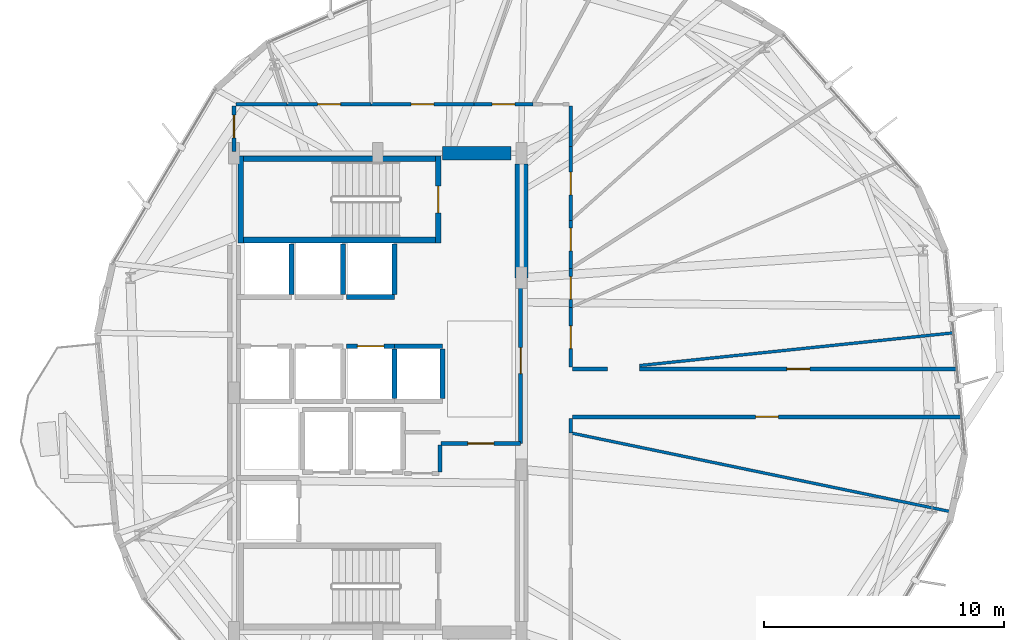
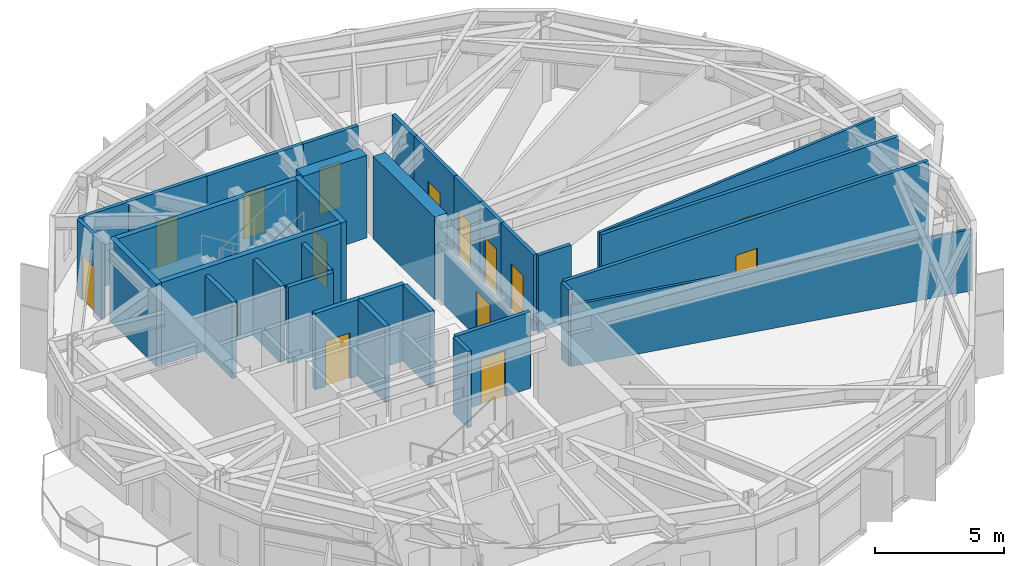
# One storey, part 19 of 23: 33 walls, 14 doors, 14 openings.
"""IFC4 building model written with IfcOpenShell, lengths in metres."""

from ifc_helpers import new_model, si_unit, direction, frame, frame_2d, origin, place, context, subcontext, project, spatial, rectangle, extrude, material, layer, layer_set, type_object, element, fill, save


model = new_model("IFC4")

# Units and contexts
model_context = context("Model", 3, precision=1e-05, world=origin(), true_north=direction((0.0, 1.0)))
body_context = subcontext(model_context, "Body", "Model", "MODEL_VIEW")
ifc_project = project(units=[si_unit("LENGTHUNIT", "METRE"), si_unit("AREAUNIT", "SQUARE_METRE"), si_unit("VOLUMEUNIT", "CUBIC_METRE"), si_unit("PLANEANGLEUNIT", "RADIAN"), si_unit("MASSUNIT", "GRAM", prefix="KILO")], contexts=[model_context])

# Site, building, storey
site_placement = place(None, origin())
site = spatial("IfcSite", under=ifc_project, at=site_placement, CompositionType="ELEMENT")
building_placement = place(site_placement, origin())
building = spatial("IfcBuilding", under=site, at=building_placement, Name="Soratama Intermodal Tower", CompositionType="ELEMENT")
storey_placement = place(building_placement, frame((0.0, 0.0, 118.60009765625)))
storey = spatial("IfcBuildingStorey", under=building, at=storey_placement, Name="L28", CompositionType="ELEMENT", Elevation=118.60009765625)

# Wall, opening, door
ifc_material_1 = material(Name="Fire-rated gypsum stud partition", Category="concrete")
ifc_layer_1 = layer(ifc_material_1, 0.159912109375)
ifc_layer_set_1 = layer_set([ifc_layer_1], Name="Fire-rated gypsum stud partition")
wall_type_1 = type_object("IfcWallType", Name="IW-PART-R160", PredefinedType="PARTITIONING", material=ifc_layer_set_1)
wall_1_placement = place(storey_placement, frame((62.966064453125, 24.0, 0.0), z_axis=(0.0, 0.0, 1.0), x_axis=(-1.0, 0.0, 0.0)))
wall_1 = element("IfcWall", 1, at=wall_1_placement, inside=storey, type_object=wall_type_1, Name="L28 Partition W-L28-TP002", PredefinedType="PARTITIONING", context=body_context, shape_type="SweptSolid", body=[
    extrude(rectangle(XDim=16.24609375, YDim=0.159912109375, at=frame_2d((8.123046875, 0.0))), origin(), (0.0, 0.0, 1.0), 3.599853515625),
])
opening_1_placement = place(wall_1_placement, frame((7.64794921875, 0.0, 0.0)))
opening_1 = element("IfcOpeningElement", 2, at=opening_1_placement, cuts=wall_1, Name="Opening ID-3", PredefinedType="OPENING", context=body_context, shape_type="SweptSolid", body=[
    extrude(rectangle(XDim=0.949951171875, YDim=2.14990234375, at=frame_2d((0.47509765625, 1.074951171875))), frame((0.0, 0.08984375, 0.0), z_axis=(0.0, -1.0, 0.0), x_axis=(1.0, 0.0, 0.0)), (0.0, 0.0, 1.0), 0.179931640625),
])
ifc_material_2 = material(Name="Solid hardwood acoustic door", Category="wood")
door_type_1 = type_object("IfcDoorType", Name="DR-ROOM-950", OperationType="NOTDEFINED", PredefinedType="DOOR", material=ifc_material_2)
door_1_placement = place(opening_1_placement, origin())
door_1 = element("IfcDoor", 3, at=door_1_placement, inside=storey, type_object=door_type_1, Name="L28 Door D-L28-TP001", OperationType="SINGLE_SWING_RIGHT", OverallHeight=2.14990234375, OverallWidth=0.949951171875, PredefinedType="DOOR", context=body_context, shape_type="SweptSolid", body=[
    extrude(rectangle(XDim=0.949951171875, YDim=2.14990234375, at=frame_2d((0.47509765625, 1.074951171875))), frame((0.0, 0.02490234375, 0.0), z_axis=(0.0, -1.0, 0.0), x_axis=(1.0, 0.0, 0.0)), (0.0, 0.0, 1.0), 0.050048828125),
])
fill(opening_1, door_1)

wall_2_placement = place(storey_placement, frame((49.531982421875, 26.0, 0.0), z_axis=(0.0, 0.0, 1.0), x_axis=(1.0, 0.0, 0.0)))
wall_2 = element("IfcWall", 4, at=wall_2_placement, inside=storey, type_object=wall_type_1, Name="L28 Partition W-L28-TP005", PredefinedType="PARTITIONING", context=body_context, shape_type="SweptSolid", body=[
    extrude(rectangle(XDim=13.242919921875, YDim=0.159912109375, at=frame_2d((6.62158203125, 0.0))), origin(), (0.0, 0.0, 1.0), 3.599853515625),
])
opening_2_placement = place(wall_2_placement, frame((6.14697265625, 0.0, 0.0)))
opening_2 = element("IfcOpeningElement", 5, at=opening_2_placement, cuts=wall_2, Name="Opening ID-3", PredefinedType="OPENING", context=body_context, shape_type="SweptSolid", body=[
    extrude(rectangle(XDim=0.949951171875, YDim=2.14990234375, at=frame_2d((0.47509765625, 1.074951171875))), frame((0.0, 0.08984375, 0.0), z_axis=(0.0, -1.0, 0.0), x_axis=(1.0, 0.0, 0.0)), (0.0, 0.0, 1.0), 0.179931640625),
])
door_2_placement = place(opening_2_placement, origin())
door_2 = element("IfcDoor", 6, at=door_2_placement, inside=storey, type_object=door_type_1, Name="L28 Door D-L28-TP002", OperationType="SINGLE_SWING_LEFT", OverallHeight=2.14990234375, OverallWidth=0.949951171875, PredefinedType="DOOR", context=body_context, shape_type="SweptSolid", body=[
    extrude(rectangle(XDim=0.949951171875, YDim=2.14990234375, at=frame_2d((0.47509765625, 1.074951171875))), frame((0.0, 0.02490234375, 0.0), z_axis=(0.0, -1.0, 0.0), x_axis=(1.0, 0.0, 0.0)), (0.0, 0.0, 1.0), 0.050048828125),
])
fill(opening_2, door_2)

wall_3_placement = place(storey_placement, frame((44.56005859375, 29.800048828125, 0.0), z_axis=(0.0, 0.0, 1.0), x_axis=(0.0, -1.0, 0.0)))
wall_3 = element("IfcWall", 7, at=wall_3_placement, inside=storey, type_object=wall_type_1, Name="L28 Partition W-L28-TP011", PredefinedType="PARTITIONING", context=body_context, shape_type="SweptSolid", body=[
    extrude(rectangle(XDim=6.91015625, YDim=0.159912109375, at=frame_2d((3.455078125, 0.0))), origin(), (0.0, 0.0, 1.0), 2.639892578125),
])
opening_3_placement = place(wall_3_placement, frame((2.9150390625, 0.0, 0.0)))
opening_3 = element("IfcOpeningElement", 8, at=opening_3_placement, cuts=wall_3, Name="Opening ID-1", PredefinedType="OPENING", context=body_context, shape_type="SweptSolid", body=[
    extrude(rectangle(XDim=1.080078125, YDim=2.14990234375, at=frame_2d((0.5400390625, 1.074951171875))), frame((0.0, 0.08984375, 0.0), z_axis=(0.0, -1.0, 0.0), x_axis=(1.0, 0.0, 0.0)), (0.0, 0.0, 1.0), 0.179931640625),
])
ifc_material_3 = material(Name="Solid hardwood acoustic door", Category="wood")
door_type_2 = type_object("IfcDoorType", Name="DR-LOB-FD60", OperationType="NOTDEFINED", PredefinedType="DOOR", material=ifc_material_3)
door_3_placement = place(opening_3_placement, origin())
door_3 = element("IfcDoor", 9, at=door_3_placement, inside=storey, type_object=door_type_2, Name="L28 Door D-L28-TP005", OperationType="SINGLE_SWING_RIGHT", OverallHeight=2.14990234375, OverallWidth=1.080078125, PredefinedType="DOOR", context=body_context, shape_type="SweptSolid", body=[
    extrude(rectangle(XDim=1.080078125, YDim=2.14990234375, at=frame_2d((0.5400390625, 1.074951171875))), frame((0.0, 0.02490234375, 0.0), z_axis=(0.0, -1.0, 0.0), x_axis=(1.0, 0.0, 0.0)), (0.0, 0.0, 1.0), 0.050048828125),
])
fill(opening_3, door_3)

wall_4_placement = place(storey_placement, frame((38.323974609375, 37.050048828125, 0.0), z_axis=(0.0, 0.0, 1.0), x_axis=(1.0, 0.0, 0.0)))
wall_4 = element("IfcWall", 10, at=wall_4_placement, inside=storey, type_object=wall_type_1, Name="L28 Partition W-L28-TP017", PredefinedType="PARTITIONING", context=body_context, shape_type="SweptSolid", body=[
    extrude(rectangle(XDim=4.2900390625, YDim=0.159912109375, at=frame_2d((2.14501953125, 0.0))), origin(), (0.0, 0.0, 1.0), 3.599853515625),
])
opening_4_placement = place(wall_4_placement, frame((1.669921875, 0.0, 0.0)))
opening_4 = element("IfcOpeningElement", 11, at=opening_4_placement, cuts=wall_4, Name="Opening ID-3", PredefinedType="OPENING", context=body_context, shape_type="SweptSolid", body=[
    extrude(rectangle(XDim=0.949951171875, YDim=2.14990234375, at=frame_2d((0.47509765625, 1.074951171875))), frame((0.0, 0.08984375, 0.0), z_axis=(0.0, -1.0, 0.0), x_axis=(1.0, 0.0, 0.0)), (0.0, 0.0, 1.0), 0.179931640625),
])
door_4_placement = place(opening_4_placement, origin())
door_4 = element("IfcDoor", 12, at=door_4_placement, inside=storey, type_object=door_type_1, Name="L28 Door D-L28-TP006", OperationType="SINGLE_SWING_LEFT", OverallHeight=2.14990234375, OverallWidth=0.949951171875, PredefinedType="DOOR", context=body_context, shape_type="SweptSolid", body=[
    extrude(rectangle(XDim=0.949951171875, YDim=2.14990234375, at=frame_2d((0.47509765625, 1.074951171875))), frame((0.0, 0.02490234375, 0.0), z_axis=(0.0, -1.0, 0.0), x_axis=(1.0, 0.0, 0.0)), (0.0, 0.0, 1.0), 0.050048828125),
])
fill(opening_4, door_4)

wall_5_placement = place(storey_placement, frame((34.81005859375, 37.050048828125, 0.0), z_axis=(0.0, 0.0, 1.0), x_axis=(1.0, 0.0, 0.0)))
wall_5 = element("IfcWall", 13, at=wall_5_placement, inside=storey, type_object=wall_type_1, Name="L28 Partition W-L28-TP019", PredefinedType="PARTITIONING", context=body_context, shape_type="SweptSolid", body=[
    extrude(rectangle(XDim=3.513916015625, YDim=0.159912109375, at=frame_2d((1.7568359375, 0.0))), origin(), (0.0, 0.0, 1.0), 3.599853515625),
])
opening_5_placement = place(wall_5_placement, frame((1.281982421875, 0.0, 0.0)))
opening_5 = element("IfcOpeningElement", 14, at=opening_5_placement, cuts=wall_5, Name="Opening ID-3", PredefinedType="OPENING", context=body_context, shape_type="SweptSolid", body=[
    extrude(rectangle(XDim=0.949951171875, YDim=2.14990234375, at=frame_2d((0.47509765625, 1.074951171875))), frame((0.0, 0.08984375, 0.0), z_axis=(0.0, -1.0, 0.0), x_axis=(1.0, 0.0, 0.0)), (0.0, 0.0, 1.0), 0.179931640625),
])
door_5_placement = place(opening_5_placement, origin())
door_5 = element("IfcDoor", 15, at=door_5_placement, inside=storey, type_object=door_type_1, Name="L28 Door D-L28-TP008", OperationType="SINGLE_SWING_LEFT", OverallHeight=2.14990234375, OverallWidth=0.949951171875, PredefinedType="DOOR", context=body_context, shape_type="SweptSolid", body=[
    extrude(rectangle(XDim=0.949951171875, YDim=2.14990234375, at=frame_2d((0.47509765625, 1.074951171875))), frame((0.0, 0.02490234375, 0.0), z_axis=(0.0, -1.0, 0.0), x_axis=(1.0, 0.0, 0.0)), (0.0, 0.0, 1.0), 0.050048828125),
])
fill(opening_5, door_5)

wall_6_placement = place(storey_placement, frame((46.64990234375, 35.277099609375, 0.0), z_axis=(0.0, 0.0, 1.0), x_axis=(0.0, -1.0, 0.0)))
wall_6 = element("IfcWall", 16, at=wall_6_placement, inside=storey, type_object=wall_type_1, Name="L28 Partition W-L28-TP023", PredefinedType="PARTITIONING", context=body_context, shape_type="SweptSolid", body=[
    extrude(rectangle(XDim=3.078125, YDim=0.159912109375, at=frame_2d((1.5390625, 0.0))), origin(), (0.0, 0.0, 1.0), 3.599853515625),
])
opening_6_placement = place(wall_6_placement, frame((1.06396484375, 0.0, 0.0)))
opening_6 = element("IfcOpeningElement", 17, at=opening_6_placement, cuts=wall_6, Name="Opening ID-3", PredefinedType="OPENING", context=body_context, shape_type="SweptSolid", body=[
    extrude(rectangle(XDim=0.949951171875, YDim=2.14990234375, at=frame_2d((0.47509765625, 1.074951171875))), frame((0.0, 0.08984375, 0.0), z_axis=(0.0, -1.0, 0.0), x_axis=(1.0, 0.0, 0.0)), (0.0, 0.0, 1.0), 0.179931640625),
])
door_6_placement = place(opening_6_placement, origin())
door_6 = element("IfcDoor", 18, at=door_6_placement, inside=storey, type_object=door_type_1, Name="L28 Door D-L28-TP010", OperationType="SINGLE_SWING_LEFT", OverallHeight=2.14990234375, OverallWidth=0.949951171875, PredefinedType="DOOR", context=body_context, shape_type="SweptSolid", body=[
    extrude(rectangle(XDim=0.949951171875, YDim=2.14990234375, at=frame_2d((0.47509765625, 1.074951171875))), frame((0.0, 0.02490234375, 0.0), z_axis=(0.0, -1.0, 0.0), x_axis=(1.0, 0.0, 0.0)), (0.0, 0.0, 1.0), 0.050048828125),
])
fill(opening_6, door_6)

wall_7_placement = place(storey_placement, frame((46.64990234375, 28.56591796875, 0.0), z_axis=(0.0, 0.0, 1.0), x_axis=(0.0, -1.0, 0.0)))
wall_7 = element("IfcWall", 19, at=wall_7_placement, inside=storey, type_object=wall_type_1, Name="L28 Partition W-L28-TP026", PredefinedType="PARTITIONING", context=body_context, shape_type="SweptSolid", body=[
    extrude(rectangle(XDim=2.495849609375, YDim=0.159912109375, at=frame_2d((1.248046875, 0.0))), origin(), (0.0, 0.0, 1.0), 3.599853515625),
])
opening_7_placement = place(wall_7_placement, frame((0.77294921875, 0.0, 0.0)))
opening_7 = element("IfcOpeningElement", 20, at=opening_7_placement, cuts=wall_7, Name="Opening ID-3", PredefinedType="OPENING", context=body_context, shape_type="SweptSolid", body=[
    extrude(rectangle(XDim=0.949951171875, YDim=2.14990234375, at=frame_2d((0.47509765625, 1.074951171875))), frame((0.0, 0.08984375, 0.0), z_axis=(0.0, -1.0, 0.0), x_axis=(1.0, 0.0, 0.0)), (0.0, 0.0, 1.0), 0.179931640625),
])
door_7_placement = place(opening_7_placement, origin())
door_7 = element("IfcDoor", 21, at=door_7_placement, inside=storey, type_object=door_type_1, Name="L28 Door D-L28-TP011", OperationType="SINGLE_SWING_RIGHT", OverallHeight=2.14990234375, OverallWidth=0.949951171875, PredefinedType="DOOR", context=body_context, shape_type="SweptSolid", body=[
    extrude(rectangle(XDim=0.949951171875, YDim=2.14990234375, at=frame_2d((0.47509765625, 1.074951171875))), frame((0.0, 0.02490234375, 0.0), z_axis=(0.0, -1.0, 0.0), x_axis=(1.0, 0.0, 0.0)), (0.0, 0.0, 1.0), 0.050048828125),
])
fill(opening_7, door_7)

wall_8_placement = place(storey_placement, frame((42.614013671875, 37.050048828125, 0.0), z_axis=(0.0, 0.0, 1.0), x_axis=(1.0, 0.0, 0.0)))
wall_8 = element("IfcWall", 22, at=wall_8_placement, inside=storey, type_object=wall_type_1, Name="L28 Partition W-L28-TP027", PredefinedType="PARTITIONING", context=body_context, shape_type="SweptSolid", body=[
    extrude(rectangle(XDim=2.4599609375, YDim=0.159912109375, at=frame_2d((1.22998046875, 0.0))), origin(), (0.0, 0.0, 1.0), 3.599853515625),
])
opening_8_placement = place(wall_8_placement, frame((0.7548828125, 0.0, 0.0)))
opening_8 = element("IfcOpeningElement", 23, at=opening_8_placement, cuts=wall_8, Name="Opening ID-3", PredefinedType="OPENING", context=body_context, shape_type="SweptSolid", body=[
    extrude(rectangle(XDim=0.949951171875, YDim=2.14990234375, at=frame_2d((0.47509765625, 1.074951171875))), frame((0.0, 0.08984375, 0.0), z_axis=(0.0, -1.0, 0.0), x_axis=(1.0, 0.0, 0.0)), (0.0, 0.0, 1.0), 0.179931640625),
])
door_8_placement = place(opening_8_placement, origin())
door_8 = element("IfcDoor", 24, at=door_8_placement, inside=storey, type_object=door_type_1, Name="L28 Door D-L28-TP012", OperationType="SINGLE_SWING_LEFT", OverallHeight=2.14990234375, OverallWidth=0.949951171875, PredefinedType="DOOR", context=body_context, shape_type="SweptSolid", body=[
    extrude(rectangle(XDim=0.949951171875, YDim=2.14990234375, at=frame_2d((0.47509765625, 1.074951171875))), frame((0.0, 0.02490234375, 0.0), z_axis=(0.0, -1.0, 0.0), x_axis=(1.0, 0.0, 0.0)), (0.0, 0.0, 1.0), 0.050048828125),
])
fill(opening_8, door_8)

# Wall
wall_9_placement = place(storey_placement, frame((32.669921875, 37.050048828125, 0.0), z_axis=(0.0, 0.0, 1.0), x_axis=(1.0, 0.0, 0.0)))
element("IfcWall", 25, at=wall_9_placement, inside=storey, type_object=wall_type_1, Name="L28 Partition W-L28-TP028", PredefinedType="PARTITIONING", context=body_context, shape_type="SweptSolid", body=[
    extrude(rectangle(XDim=2.14013671875, YDim=0.159912109375, at=frame_2d((1.070068359375, 0.0))), origin(), (0.0, 0.0, 1.0), 3.599853515625),
])

# Wall, opening, door
wall_10_placement = place(storey_placement, frame((46.64990234375, 32.198974609375, 0.0), z_axis=(0.0, 0.0, 1.0), x_axis=(0.0, -1.0, 0.0)))
wall_10 = element("IfcWall", 26, at=wall_10_placement, inside=storey, type_object=wall_type_1, Name="L28 Partition W-L28-TP029", PredefinedType="PARTITIONING", context=body_context, shape_type="SweptSolid", body=[
    extrude(rectangle(XDim=2.001953125, YDim=0.159912109375, at=frame_2d((1.0009765625, 0.0))), origin(), (0.0, 0.0, 1.0), 3.599853515625),
])
opening_9_placement = place(wall_10_placement, frame((0.325927734375, 0.0, 0.0)))
opening_9 = element("IfcOpeningElement", 27, at=opening_9_placement, cuts=wall_10, Name="Opening ID-3", PredefinedType="OPENING", context=body_context, shape_type="SweptSolid", body=[
    extrude(rectangle(XDim=0.949951171875, YDim=2.14990234375, at=frame_2d((0.47509765625, 1.074951171875))), frame((0.0, 0.08984375, 0.0), z_axis=(0.0, -1.0, 0.0), x_axis=(1.0, 0.0, 0.0)), (0.0, 0.0, 1.0), 0.179931640625),
])
door_9_placement = place(opening_9_placement, origin())
door_9 = element("IfcDoor", 28, at=door_9_placement, inside=storey, type_object=door_type_1, Name="L28 Door D-L28-TP013", OperationType="SINGLE_SWING_RIGHT", OverallHeight=2.14990234375, OverallWidth=0.949951171875, PredefinedType="DOOR", context=body_context, shape_type="SweptSolid", body=[
    extrude(rectangle(XDim=0.949951171875, YDim=2.14990234375, at=frame_2d((0.47509765625, 1.074951171875))), frame((0.0, 0.02490234375, 0.0), z_axis=(0.0, -1.0, 0.0), x_axis=(1.0, 0.0, 0.0)), (0.0, 0.0, 1.0), 0.050048828125),
])
fill(opening_9, door_9)

wall_11_placement = place(storey_placement, frame((32.60009765625, 35.070068359375, 0.0), z_axis=(0.0, 0.0, 1.0), x_axis=(0.0, 1.0, 0.0)))
wall_11 = element("IfcWall", 29, at=wall_11_placement, inside=storey, type_object=wall_type_1, Name="L28 Partition W-L28-TP030", PredefinedType="PARTITIONING", context=body_context, shape_type="SweptSolid", body=[
    extrude(rectangle(XDim=1.909912109375, YDim=0.159912109375, at=frame_2d((0.955078125, 0.0))), origin(), (0.0, 0.0, 1.0), 3.599853515625),
])
opening_10_placement = place(wall_11_placement, frame((0.574951171875, 0.0, 0.0)))
opening_10 = element("IfcOpeningElement", 30, at=opening_10_placement, cuts=wall_11, Name="Opening ID-3", PredefinedType="OPENING", context=body_context, shape_type="SweptSolid", body=[
    extrude(rectangle(XDim=0.949951171875, YDim=2.14990234375, at=frame_2d((0.47509765625, 1.074951171875))), frame((0.0, 0.08984375, 0.0), z_axis=(0.0, -1.0, 0.0), x_axis=(1.0, 0.0, 0.0)), (0.0, 0.0, 1.0), 0.179931640625),
])
door_10_placement = place(opening_10_placement, origin())
door_10 = element("IfcDoor", 31, at=door_10_placement, inside=storey, type_object=door_type_1, Name="L28 Door D-L28-TP014", OperationType="SINGLE_SWING_LEFT", OverallHeight=2.14990234375, OverallWidth=0.949951171875, PredefinedType="DOOR", context=body_context, shape_type="SweptSolid", body=[
    extrude(rectangle(XDim=0.949951171875, YDim=2.14990234375, at=frame_2d((0.47509765625, 1.074951171875))), frame((0.0, 0.02490234375, 0.0), z_axis=(0.0, -1.0, 0.0), x_axis=(1.0, 0.0, 0.0)), (0.0, 0.0, 1.0), 0.050048828125),
])
fill(opening_10, door_10)

# Wall
wall_12_placement = place(storey_placement, frame((46.64990234375, 36.97998046875, 0.0), z_axis=(0.0, 0.0, 1.0), x_axis=(0.0, -1.0, 0.0)))
element("IfcWall", 32, at=wall_12_placement, inside=storey, type_object=wall_type_1, Name="L28 Partition W-L28-TP031", PredefinedType="PARTITIONING", context=body_context, shape_type="SweptSolid", body=[
    extrude(rectangle(XDim=1.702880859375, YDim=0.159912109375, at=frame_2d((0.8515625, 0.0))), origin(), (0.0, 0.0, 1.0), 3.599853515625),
])

# Wall, opening, door
wall_13_placement = place(storey_placement, frame((46.64990234375, 30.197021484375, 0.0), z_axis=(0.0, 0.0, 1.0), x_axis=(0.0, -1.0, 0.0)))
wall_13 = element("IfcWall", 33, at=wall_13_placement, inside=storey, type_object=wall_type_1, Name="L28 Partition W-L28-TP032", PredefinedType="PARTITIONING", context=body_context, shape_type="SweptSolid", body=[
    extrude(rectangle(XDim=1.631103515625, YDim=0.159912109375, at=frame_2d((0.8154296875, 0.0))), origin(), (0.0, 0.0, 1.0), 3.599853515625),
])
opening_11_placement = place(wall_13_placement, frame((0.341064453125, 0.0, 0.0)))
opening_11 = element("IfcOpeningElement", 34, at=opening_11_placement, cuts=wall_13, Name="Opening ID-3", PredefinedType="OPENING", context=body_context, shape_type="SweptSolid", body=[
    extrude(rectangle(XDim=0.949951171875, YDim=2.14990234375, at=frame_2d((0.47509765625, 1.074951171875))), frame((0.0, 0.08984375, 0.0), z_axis=(0.0, -1.0, 0.0), x_axis=(1.0, 0.0, 0.0)), (0.0, 0.0, 1.0), 0.179931640625),
])
door_11_placement = place(opening_11_placement, origin())
door_11 = element("IfcDoor", 35, at=door_11_placement, inside=storey, type_object=door_type_1, Name="L28 Door D-L28-TP015", OperationType="SINGLE_SWING_RIGHT", OverallHeight=2.14990234375, OverallWidth=0.949951171875, PredefinedType="DOOR", context=body_context, shape_type="SweptSolid", body=[
    extrude(rectangle(XDim=0.949951171875, YDim=2.14990234375, at=frame_2d((0.47509765625, 1.074951171875))), frame((0.0, 0.02490234375, 0.0), z_axis=(0.0, -1.0, 0.0), x_axis=(1.0, 0.0, 0.0)), (0.0, 0.0, 1.0), 0.050048828125),
])
fill(opening_11, door_11)

# Walls
wall_14_placement = place(storey_placement, frame((46.64990234375, 23.929931640625, 0.0), z_axis=(0.0, 0.0, 1.0), x_axis=(0.0, -1.0, 0.0)))
element("IfcWall", 36, at=wall_14_placement, inside=storey, type_object=wall_type_1, Name="L28 Partition W-L28-TP036", PredefinedType="PARTITIONING", context=body_context, shape_type="SweptSolid", body=[
    extrude(rectangle(XDim=0.599853515625, YDim=0.159912109375, at=frame_2d((0.2998046875, 0.0))), origin(), (0.0, 0.0, 1.0), 3.599853515625),
])
wall_15_placement = place(storey_placement, frame((46.719970703125, 26.0, 0.0), z_axis=(0.0, 0.0, 1.0), x_axis=(1.0, 0.0, 0.0)))
element("IfcWall", 37, at=wall_15_placement, inside=storey, type_object=wall_type_1, Name="L28 Partition W-L28-TP038", PredefinedType="PARTITIONING", context=body_context, shape_type="SweptSolid", body=[
    extrude(rectangle(XDim=1.463134765625, YDim=0.159912109375, at=frame_2d((0.7314453125, 0.0))), origin(), (0.0, 0.0, 1.0), 3.599853515625),
])

# Wall, opening, door
ifc_material_4 = material(Name="Fire-rated gypsum stud partition", Category="concrete")
ifc_layer_2 = layer(ifc_material_4, 0.169921875)
ifc_layer_set_2 = layer_set([ifc_layer_2], Name="Fire-rated gypsum stud partition")
wall_type_2 = type_object("IfcWallType", Name="IW-PART-R170", PredefinedType="PARTITIONING", material=ifc_layer_set_2)
wall_16_placement = place(storey_placement, frame((41.239990234375, 22.889892578125, 0.0), z_axis=(0.0, 0.0, 1.0), x_axis=(1.0, 0.0, 0.0)))
wall_16 = element("IfcWall", 38, at=wall_16_placement, inside=storey, type_object=wall_type_2, Name="L28 Partition W-L28-TP021", PredefinedType="PARTITIONING", context=body_context, shape_type="SweptSolid", body=[
    extrude(rectangle(XDim=3.320068359375, YDim=0.169921875, at=frame_2d((1.66015625, 0.0))), origin(), (0.0, 0.0, 1.0), 3.599853515625),
])
opening_12_placement = place(wall_16_placement, frame((1.1201171875, 0.0, 0.0)))
opening_12 = element("IfcOpeningElement", 39, at=opening_12_placement, cuts=wall_16, Name="Opening ID-0", PredefinedType="OPENING", context=body_context, shape_type="SweptSolid", body=[
    extrude(rectangle(XDim=1.080078125, YDim=2.14990234375, at=frame_2d((0.5400390625, 1.074951171875))), frame((0.0, 0.094970703125, 0.0), z_axis=(0.0, -1.0, 0.0), x_axis=(1.0, 0.0, 0.0)), (0.0, 0.0, 1.0), 0.18994140625),
])
ifc_material_5 = material(Name="Solid hardwood acoustic door", Category="wood")
door_type_3 = type_object("IfcDoorType", Name="DR-LOB-FD90", OperationType="NOTDEFINED", PredefinedType="DOOR", material=ifc_material_5)
door_12_placement = place(opening_12_placement, origin())
door_12 = element("IfcDoor", 40, at=door_12_placement, inside=storey, type_object=door_type_3, Name="L28 Door D-L28-TP009", OperationType="SINGLE_SWING_RIGHT", OverallHeight=2.14990234375, OverallWidth=1.080078125, PredefinedType="DOOR", context=body_context, shape_type="SweptSolid", body=[
    extrude(rectangle(XDim=1.080078125, YDim=2.14990234375, at=frame_2d((0.5400390625, 1.074951171875))), frame((0.0, 0.02490234375, 0.0), z_axis=(0.0, -1.0, 0.0), x_axis=(1.0, 0.0, 0.0)), (0.0, 0.0, 1.0), 0.050048828125),
])
fill(opening_12, door_12)

# Walls
wall_17_placement = place(storey_placement, frame((41.199951171875, 21.699951171875, 0.0), z_axis=(0.0, 0.0, 1.0), x_axis=(0.0, 1.0, 0.0)))
element("IfcWall", 41, at=wall_17_placement, inside=storey, type_object=wall_type_2, Name="L28 Partition W-L28-TP035", PredefinedType="PARTITIONING", context=body_context, shape_type="SweptSolid", body=[
    extrude(rectangle(XDim=1.1201171875, YDim=0.169921875, at=frame_2d((0.56005859375, 0.0))), origin(), (0.0, 0.0, 1.0), 3.599853515625),
])
ifc_material_6 = material(Name="Fire-rated gypsum stud partition", Category="concrete")
ifc_layer_3 = layer(ifc_material_6, 0.1201171875)
ifc_layer_set_3 = layer_set([ifc_layer_3], Name="Fire-rated gypsum stud partition")
wall_type_3 = type_object("IfcWallType", Name="IW-PART-S120", PredefinedType="PARTITIONING", material=ifc_layer_set_3)
wall_18_placement = place(storey_placement, frame((46.64990234375, 23.330078125, 0.0), z_axis=(0.0, 0.0, 1.0), x_axis=(0.979173966784, -0.20302301045, 0.0)))
element("IfcWall", 42, at=wall_18_placement, inside=storey, type_object=wall_type_3, Name="L28 Partition W-L28-TP001", PredefinedType="PARTITIONING", context=body_context, shape_type="SweptSolid", body=[
    extrude(rectangle(XDim=16.322998046875, YDim=0.1201171875, at=frame_2d((8.16162109375, 0.0))), origin(), (0.0, 0.0, 1.0), 2.89501953125),
])
wall_19_placement = place(storey_placement, frame((49.52490234375, 26.139892578125, 0.0), z_axis=(0.0, 0.0, 1.0), x_axis=(0.994603084533, 0.103753092662, 0.0)))
element("IfcWall", 43, at=wall_19_placement, inside=storey, type_object=wall_type_3, Name="L28 Partition W-L28-TP006", PredefinedType="PARTITIONING", context=body_context, shape_type="SweptSolid", body=[
    extrude(rectangle(XDim=13.17724609375, YDim=0.1201171875, at=frame_2d((6.588623046875, 0.0))), origin(), (0.0, 0.0, 1.0), 3.599853515625),
])

# Wall, opening, door
ifc_material_7 = material(Name="Concrete f'c 42 MPa", Category="concrete")
ifc_layer_4 = layer(ifc_material_7, 0.199951171875)
ifc_layer_set_4 = layer_set([ifc_layer_4], Name="Concrete f'c 42 MPa")
wall_type_4 = type_object("IfcWallType", Name="IW-SHAFT-200", PredefinedType="SOLIDWALL", material=ifc_layer_set_4)
wall_20_placement = place(storey_placement, frame((37.300048828125, 26.949951171875, 0.0), z_axis=(0.0, 0.0, 1.0), x_axis=(1.0, 0.0, 0.0)))
wall_20 = element("IfcWall", 44, at=wall_20_placement, inside=storey, type_object=wall_type_4, Name="L28 PL-L3 Hoistway Wall N", PredefinedType="SOLIDWALL", context=body_context, shape_type="SweptSolid", body=[
    extrude(rectangle(XDim=2.0, YDim=0.199951171875, at=frame_2d((1.0, 0.0))), origin(), (0.0, 0.0, 1.0), 3.599853515625),
])
opening_13_placement = place(wall_20_placement, frame((0.449951171875, 0.0, 0.0)))
opening_13 = element("IfcOpeningElement", 45, at=opening_13_placement, cuts=wall_20, Name="Opening LD-1", PredefinedType="OPENING", context=body_context, shape_type="SweptSolid", body=[
    extrude(rectangle(XDim=1.10009765625, YDim=2.14990234375, at=frame_2d((0.550048828125, 1.074951171875))), frame((0.0, 0.10986328125, 0.0), z_axis=(0.0, -1.0, 0.0), x_axis=(1.0, 0.0, 0.0)), (0.0, 0.0, 1.0), 0.219970703125),
])
ifc_material_8 = material(Name="Steel fire door", Category="steel")
door_type_4 = type_object("IfcDoorType", Name="DR-LIFT-SLIDE", OperationType="NOTDEFINED", PredefinedType="DOOR", material=ifc_material_8)
door_13_placement = place(opening_13_placement, origin())
door_13 = element("IfcDoor", 46, at=door_13_placement, inside=storey, type_object=door_type_4, Name="L28 PL-L3 Sliding Landing Door", OperationType="SLIDING_TO_LEFT", OverallHeight=2.14990234375, OverallWidth=1.10009765625, PredefinedType="DOOR", context=body_context, shape_type="SweptSolid", body=[
    extrude(rectangle(XDim=1.10009765625, YDim=2.14990234375, at=frame_2d((0.550048828125, 1.074951171875))), frame((0.0, 0.02490234375, 0.0), z_axis=(0.0, -1.0, 0.0), x_axis=(1.0, 0.0, 0.0)), (0.0, 0.0, 1.0), 0.050048828125),
])
fill(opening_13, door_13)

# Walls
wall_21_placement = place(storey_placement, frame((39.300048828125, 24.760009765625, 0.0), z_axis=(0.0, 0.0, 1.0), x_axis=(0.0, 1.0, 0.0)))
element("IfcWall", 47, at=wall_21_placement, inside=storey, type_object=wall_type_4, Name="L28 PL-L3 Hoistway Wall E", PredefinedType="SOLIDWALL", context=body_context, shape_type="SweptSolid", body=[
    extrude(rectangle(XDim=2.080078125, YDim=0.199951171875, at=frame_2d((1.0400390625, 0.0))), origin(), (0.0, 0.0, 1.0), 3.599853515625),
])
wall_22_placement = place(storey_placement, frame((39.300048828125, 26.949951171875, 0.0), z_axis=(0.0, 0.0, 1.0), x_axis=(1.0, 0.0, 0.0)))
element("IfcWall", 48, at=wall_22_placement, inside=storey, type_object=wall_type_4, Name="L28 PL-M1 Hoistway Wall N", PredefinedType="SOLIDWALL", context=body_context, shape_type="SweptSolid", body=[
    extrude(rectangle(XDim=2.0, YDim=0.199951171875, at=frame_2d((1.0, 0.0))), origin(), (0.0, 0.0, 1.0), 3.599853515625),
])
wall_23_placement = place(storey_placement, frame((41.300048828125, 24.760009765625, 0.0), z_axis=(0.0, 0.0, 1.0), x_axis=(0.0, 1.0, 0.0)))
element("IfcWall", 49, at=wall_23_placement, inside=storey, type_object=wall_type_4, Name="L28 PL-M1 Hoistway Wall E", PredefinedType="SOLIDWALL", context=body_context, shape_type="SweptSolid", body=[
    extrude(rectangle(XDim=2.080078125, YDim=0.199951171875, at=frame_2d((1.0400390625, 0.0))), origin(), (0.0, 0.0, 1.0), 3.599853515625),
])
for number, where, z_axis, x_axis, name in (
    (50, (35.0, 29.110107421875, 0.0), (0.0, 0.0, 1.0), (0.0, 1.0, 0.0), "L28 PL-M2 Hoistway Wall E"),
    (51, (37.14990234375, 29.110107421875, 0.0), (0.0, 0.0, 1.0), (0.0, 1.0, 0.0), "L28 PL-H1 Hoistway Wall E"),
):
    element("IfcWall", number, at=place(storey_placement, frame(where, z_axis=z_axis, x_axis=x_axis)), inside=storey, type_object=wall_type_4, Name=name, PredefinedType="SOLIDWALL", context=body_context, shape_type="SweptSolid", body=[
        extrude(rectangle(XDim=2.099853515625, YDim=0.199951171875, at=frame_2d((1.0498046875, 0.0))), origin(), (0.0, 0.0, 1.0), 3.599853515625),
    ])
wall_24_placement = place(storey_placement, frame((37.300048828125, 29.0, 0.0), z_axis=(0.0, 0.0, 1.0), x_axis=(1.0, 0.0, 0.0)))
element("IfcWall", 52, at=wall_24_placement, inside=storey, type_object=wall_type_4, Name="L28 PL-H2 Hoistway Wall S", PredefinedType="SOLIDWALL", context=body_context, shape_type="SweptSolid", body=[
    extrude(rectangle(XDim=2.0, YDim=0.199951171875, at=frame_2d((1.0, 0.0))), origin(), (0.0, 0.0, 1.0), 3.599853515625),
])
wall_25_placement = place(storey_placement, frame((39.300048828125, 29.110107421875, 0.0), z_axis=(0.0, 0.0, 1.0), x_axis=(0.0, 1.0, 0.0)))
element("IfcWall", 53, at=wall_25_placement, inside=storey, type_object=wall_type_4, Name="L28 PL-H2 Hoistway Wall E", PredefinedType="SOLIDWALL", context=body_context, shape_type="SweptSolid", body=[
    extrude(rectangle(XDim=2.099853515625, YDim=0.199951171875, at=frame_2d((1.0498046875, 0.0))), origin(), (0.0, 0.0, 1.0), 3.599853515625),
])
ifc_material_9 = material(Name="Concrete f'c 56 MPa", Category="concrete")
ifc_layer_5 = layer(ifc_material_9, 0.550048828125)
ifc_layer_set_5 = layer_set([ifc_layer_5], Name="Concrete f'c 56 MPa")
wall_type_5 = type_object("IfcWallType", Name="SW-CORE-550", PredefinedType="SHEAR", material=ifc_layer_set_5)
wall_26_placement = place(storey_placement, frame((41.300048828125, 35.0, 0.0), z_axis=(0.0, 0.0, 1.0), x_axis=(1.0, 0.0, 0.0)))
element("IfcWall", 54, at=wall_26_placement, inside=storey, type_object=wall_type_5, Name="L28 Core Shear Wall CW-NE", PredefinedType="SHEAR", context=body_context, shape_type="SweptSolid", body=[
    extrude(rectangle(XDim=2.849853515625, YDim=0.550048828125, at=frame_2d((1.4248046875, 0.0))), origin(), (0.0, 0.0, 1.0), 3.89990234375),
])
wall_27_placement = place(storey_placement, frame((44.60009765625, 29.800048828125, 0.0), z_axis=(0.0, 0.0, 1.0), x_axis=(0.0, 1.0, 0.0)))
element("IfcWall", 55, at=wall_27_placement, inside=storey, type_object=wall_type_5, Name="L28 Core Shear Wall CW-EN", PredefinedType="SHEAR", context=body_context, shape_type="SweptSolid", body=[
    extrude(rectangle(XDim=4.75, YDim=0.550048828125, at=frame_2d((2.375, 0.0))), origin(), (0.0, 0.0, 1.0), 3.89990234375),
])
ifc_material_10 = material(Name="Concrete f'c 56 MPa", Category="concrete")
ifc_layer_6 = layer(ifc_material_10, 0.239990234375)
ifc_layer_set_6 = layer_set([ifc_layer_6], Name="Concrete f'c 56 MPa")
wall_type_6 = type_object("IfcWallType", Name="SW-STAIR-240", PredefinedType="SHEAR", material=ifc_layer_set_6)
wall_28_placement = place(storey_placement, frame((32.8798828125, 31.260009765625, 0.0), z_axis=(0.0, 0.0, 1.0), x_axis=(0.0, 1.0, 0.0)))
element("IfcWall", 56, at=wall_28_placement, inside=storey, type_object=wall_type_6, Name="L28 ST-2 Shaft Shear Wall W", PredefinedType="SHEAR", context=body_context, shape_type="SweptSolid", body=[
    extrude(rectangle(XDim=3.6298828125, YDim=0.239990234375, at=frame_2d((1.81494140625, 0.0))), origin(), (0.0, 0.0, 1.0), 3.89990234375),
])

# Wall, opening, door
wall_29_placement = place(storey_placement, frame((41.1201171875, 31.260009765625, 0.0), z_axis=(0.0, 0.0, 1.0), x_axis=(0.0, 1.0, 0.0)))
wall_29 = element("IfcWall", 57, at=wall_29_placement, inside=storey, type_object=wall_type_6, Name="L28 ST-2 Shaft Shear Wall E", PredefinedType="SHEAR", context=body_context, shape_type="SweptSolid", body=[
    extrude(rectangle(XDim=3.6298828125, YDim=0.239990234375, at=frame_2d((1.81494140625, 0.0))), origin(), (0.0, 0.0, 1.0), 3.89990234375),
])
opening_14_placement = place(wall_29_placement, frame((1.2548828125, 0.0, 0.0)))
opening_14 = element("IfcOpeningElement", 58, at=opening_14_placement, cuts=wall_29, Name="Opening SD-1", PredefinedType="OPENING", context=body_context, shape_type="SweptSolid", body=[
    extrude(rectangle(XDim=1.1201171875, YDim=2.14990234375, at=frame_2d((0.56005859375, 1.074951171875))), frame((0.0, 0.1298828125, 0.0), z_axis=(0.0, -1.0, 0.0), x_axis=(1.0, 0.0, 0.0)), (0.0, 0.0, 1.0), 0.260009765625),
])
ifc_material_11 = material(Name="Steel fire door", Category="steel")
door_type_5 = type_object("IfcDoorType", Name="DR-STAIR-FD90", OperationType="NOTDEFINED", PredefinedType="DOOR", material=ifc_material_11)
door_14_placement = place(opening_14_placement, origin())
door_14 = element("IfcDoor", 59, at=door_14_placement, inside=storey, type_object=door_type_5, Name="L28 ST-2 Exit Stair Door", OperationType="SINGLE_SWING_RIGHT", OverallHeight=2.14990234375, OverallWidth=1.1201171875, PredefinedType="DOOR", context=body_context, shape_type="SweptSolid", body=[
    extrude(rectangle(XDim=1.1201171875, YDim=2.14990234375, at=frame_2d((0.56005859375, 1.074951171875))), frame((0.0, 0.02490234375, 0.0), z_axis=(0.0, -1.0, 0.0), x_axis=(1.0, 0.0, 0.0)), (0.0, 0.0, 1.0), 0.050048828125),
])
fill(opening_14, door_14)

# Walls
for number, where, z_axis, x_axis, name in (
    (60, (33.0, 31.3798828125, 0.0), (0.0, 0.0, 1.0), (1.0, 0.0, 0.0), "L28 ST-2 Shaft Shear Wall S"),
    (61, (33.0, 34.77001953125, 0.0), (0.0, 0.0, 1.0), (1.0, 0.0, 0.0), "L28 ST-2 Shaft Shear Wall N"),
):
    element("IfcWall", number, at=place(storey_placement, frame(where, z_axis=z_axis, x_axis=x_axis)), inside=storey, type_object=wall_type_6, Name=name, PredefinedType="SHEAR", context=body_context, shape_type="SweptSolid", body=[
        extrude(rectangle(XDim=8.0, YDim=0.239990234375, at=frame_2d((4.0, 0.0))), origin(), (0.0, 0.0, 1.0), 3.89990234375),
    ])

save(model, "model.ifc")
